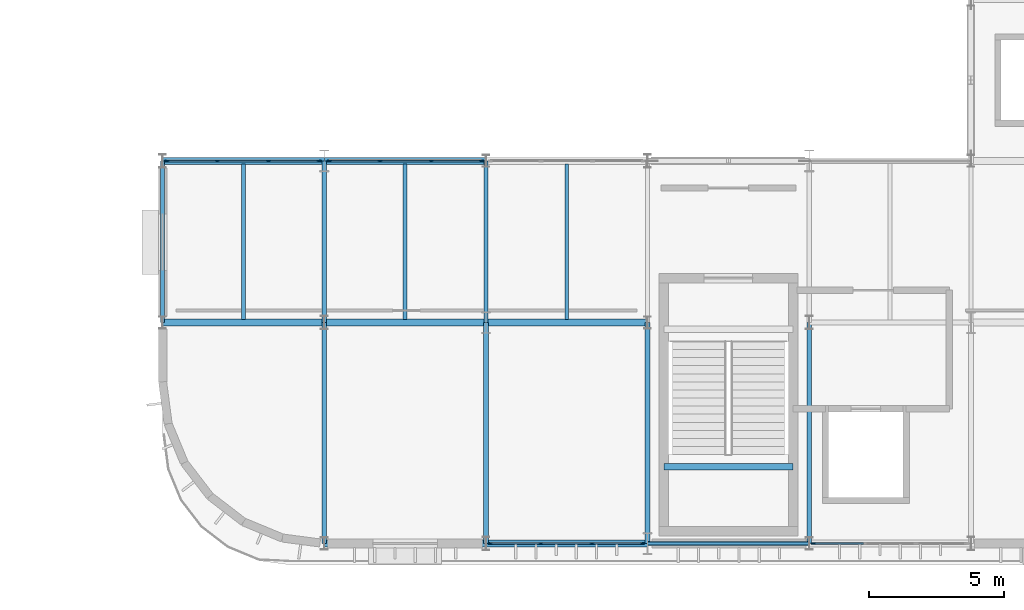
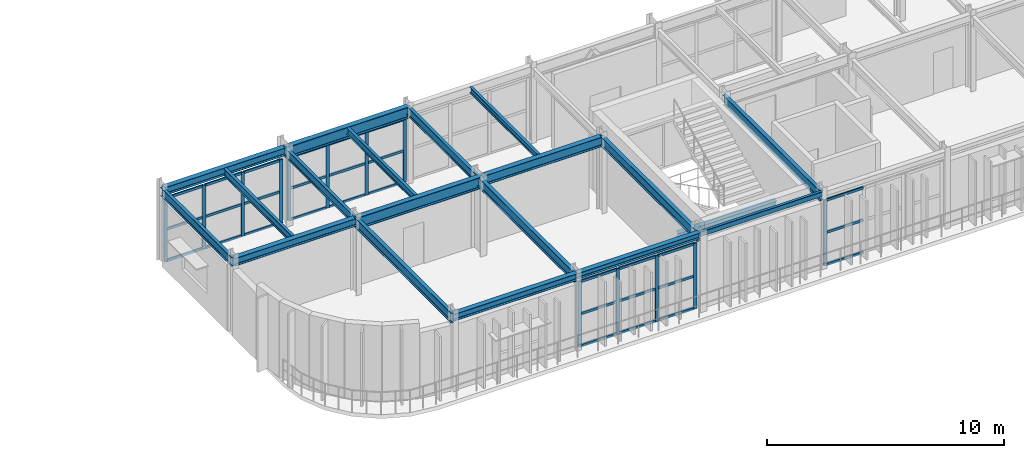
# One storey, part 18 of 83: 43 members, 19 beams, 4 elements without a shape of their own.
"""IFC4 building model written with IfcOpenShell, lengths in metres."""

from ifc_helpers import new_model, si_unit, direction, frame, origin, origin_2d, place, context, subcontext, project, spatial, rectangle, hollow_rectangle, i_section, extrude, material, material_profile, profile_set, type_object, element, aggregate, save


model = new_model("IFC4")

# Units and contexts
model_context = context("Model", 3, precision=1e-05, world=origin(), true_north=direction((0.0, 1.0)))
body_context = subcontext(model_context, "Body", "Model", "MODEL_VIEW")
ifc_project = project(units=[si_unit("LENGTHUNIT", "METRE"), si_unit("AREAUNIT", "SQUARE_METRE"), si_unit("VOLUMEUNIT", "CUBIC_METRE"), si_unit("PLANEANGLEUNIT", "RADIAN"), si_unit("MASSUNIT", "GRAM", prefix="KILO")], contexts=[model_context])

# Site, building, storey
site_placement = place(None, origin())
site = spatial("IfcSite", under=ifc_project, at=site_placement, CompositionType="ELEMENT")
building_placement = place(site_placement, origin())
building = spatial("IfcBuilding", under=site, at=building_placement, Name="Varnakota Square Police Headquarters", CompositionType="ELEMENT")
storey_placement = place(building_placement, frame((0.0, 0.0, 18.0)))
storey = spatial("IfcBuildingStorey", under=building, at=storey_placement, Name="L04", CompositionType="ELEMENT", Elevation=18.0)

# Beams
ifc_material_1 = material(Name="Steel IS 2062 Grade 350", Category="steel")
ifc_material_profile_1 = material_profile(ifc_material_1, hollow_rectangle(XDim=0.14990234375, YDim=0.25, WallThickness=0.010009765625, InnerFilletRadius=0.010009765625, OuterFilletRadius=0.02001953125, at=origin_2d()), Name="RHS 250x150x10")
ifc_profile_set_1 = profile_set([ifc_material_profile_1], Name="Steel IS 2062 Grade 350")
beam_type_1 = type_object("IfcBeamType", Name="BM-CBEAM-RHS250", PredefinedType="BEAM", material=ifc_profile_set_1)
beam_1_placement = place(storey_placement, frame((126.0, 0.800048828125, 3.77490234375), z_axis=(1.0, 0.0, 0.0), x_axis=(0.0, 1.0, 0.0)))
element("IfcBeam", 1, at=beam_1_placement, inside=storey, type_object=beam_type_1, Name="BMG-L04-2845", PredefinedType="BEAM", context=body_context, shape_type="SweptSolid", body=[
    extrude(hollow_rectangle(XDim=0.14990234375, YDim=0.25, WallThickness=0.010009765625, InnerFilletRadius=0.010009765625, OuterFilletRadius=0.02001953125, at=origin_2d()), origin(), (0.0, 0.0, 1.0), 6.0),
])
ifc_material_profile_2 = material_profile(ifc_material_1, i_section(OverallWidth=0.25, OverallDepth=0.300048828125, WebThickness=0.009521484375, FlangeThickness=0.010498046875, FilletRadius=0.011962890625, at=origin_2d()), Name="ISHB 300")
ifc_profile_set_2 = profile_set([ifc_material_profile_2], Name="Steel IS 2062 Grade 350")
beam_type_2 = type_object("IfcBeamType", Name="BM-ISHB300", PredefinedType="BEAM", material=ifc_profile_set_2)
beam_2_placement = place(storey_placement, frame((120.0, 0.800048828125, 3.75), z_axis=(1.0, 0.0, 0.0), x_axis=(0.0, 1.0, 0.0)))
element("IfcBeam", 2, at=beam_2_placement, inside=storey, type_object=beam_type_2, Name="BMG-L04-2844", PredefinedType="BEAM", context=body_context, shape_type="SweptSolid", body=[
    extrude(i_section(OverallWidth=0.25, OverallDepth=0.300048828125, WebThickness=0.009521484375, FlangeThickness=0.010498046875, FilletRadius=0.011962890625, at=origin_2d()), origin(), (0.0, 0.0, 1.0), 6.0),
])
beam_3_placement = place(storey_placement, frame((126.60009765625, 3.6494140625, 1.783935546875), z_axis=(1.0, 0.0, 0.0), x_axis=(0.0, 1.0, 0.0)))
element("IfcBeam", 3, at=beam_3_placement, inside=storey, type_object=beam_type_2, Name="Stair landing support beam BM-LND-0010", PredefinedType="BEAM", context=body_context, shape_type="SweptSolid", body=[
    extrude(i_section(OverallWidth=0.25, OverallDepth=0.300048828125, WebThickness=0.009521484375, FlangeThickness=0.010498046875, FilletRadius=0.011962890625, at=origin_2d()), origin(), (0.0, 0.0, 1.0), 4.7998046875),
])
ifc_material_profile_3 = material_profile(ifc_material_1, i_section(OverallWidth=0.25, OverallDepth=0.35009765625, WebThickness=0.010009765625, FlangeThickness=0.01171875, FilletRadius=0.011962890625, at=origin_2d()), Name="ISHB 350")
ifc_profile_set_3 = profile_set([ifc_material_profile_3], Name="Steel IS 2062 Grade 350")
beam_type_3 = type_object("IfcBeamType", Name="BM-ISHB350", PredefinedType="BEAM", material=ifc_profile_set_3)
beam_4_placement = place(storey_placement, frame((114.0, 0.800048828125, 3.72509765625), z_axis=(1.0, 0.0, 0.0), x_axis=(0.0, 1.0, 0.0)))
element("IfcBeam", 4, at=beam_4_placement, inside=storey, type_object=beam_type_3, Name="BMG-L04-2843", PredefinedType="BEAM", context=body_context, shape_type="SweptSolid", body=[
    extrude(i_section(OverallWidth=0.25, OverallDepth=0.35009765625, WebThickness=0.010009765625, FlangeThickness=0.01171875, FilletRadius=0.011962890625, at=origin_2d()), origin(), (0.0, 0.0, 1.0), 6.0),
])
ifc_material_profile_4 = material_profile(ifc_material_1, i_section(OverallWidth=0.25, OverallDepth=0.39990234375, WebThickness=0.010498046875, FlangeThickness=0.0126953125, FilletRadius=0.013916015625, at=origin_2d()), Name="ISHB 400")
ifc_profile_set_4 = profile_set([ifc_material_profile_4], Name="Steel IS 2062 Grade 350")
beam_type_4 = type_object("IfcBeamType", Name="BM-ISHB400", PredefinedType="BEAM", material=ifc_profile_set_4)
for number, where, z_axis, x_axis, name in (
    (5, (108.0, 9.0, 3.699951171875), (1.0, 0.0, 0.0), (0.0, 1.0, 0.0), "BMG-L04-2850"),
    (6, (108.0, 15.0, 3.699951171875), (1.0, 0.0, 0.0), (0.0, 1.0, 0.0), "BMG-L04-2858"),
):
    element("IfcBeam", number, at=place(storey_placement, frame(where, z_axis=z_axis, x_axis=x_axis)), inside=storey, type_object=beam_type_4, Name=name, PredefinedType="BEAM", context=body_context, shape_type="SweptSolid", body=[
        extrude(i_section(OverallWidth=0.25, OverallDepth=0.39990234375, WebThickness=0.010498046875, FlangeThickness=0.0126953125, FilletRadius=0.013916015625, at=origin_2d()), origin(), (0.0, 0.0, 1.0), 6.0),
    ])
ifc_material_profile_5 = material_profile(ifc_material_1, i_section(OverallWidth=0.139892578125, OverallDepth=0.300048828125, WebThickness=0.0078125, FlangeThickness=0.01318359375, FilletRadius=0.013916015625, at=origin_2d()), Name="ISMB 300")
ifc_profile_set_5 = profile_set([ifc_material_profile_5], Name="Steel IS 2062 Grade 350")
beam_type_5 = type_object("IfcBeamType", Name="BM-ISMB300", PredefinedType="JOIST", material=ifc_profile_set_5)
beam_5_placement = place(storey_placement, frame((123.0, 9.123046875, 3.75), z_axis=(0.0, 1.0, 0.0), x_axis=(-1.0, 0.0, 0.0)))
element("IfcBeam", 7, at=beam_5_placement, inside=storey, type_object=beam_type_5, Name="BMG-L04-3057", PredefinedType="JOIST", context=body_context, shape_type="SweptSolid", body=[
    extrude(i_section(OverallWidth=0.139892578125, OverallDepth=0.300048828125, WebThickness=0.0078125, FlangeThickness=0.01318359375, FilletRadius=0.013916015625, at=origin_2d()), origin(), (0.0, 0.0, 1.0), 5.75390625),
])
ifc_material_profile_6 = material_profile(ifc_material_1, i_section(OverallWidth=0.139892578125, OverallDepth=0.35009765625, WebThickness=0.008056640625, FlangeThickness=0.01416015625, FilletRadius=0.013916015625, at=origin_2d()), Name="ISMB 350")
ifc_profile_set_6 = profile_set([ifc_material_profile_6], Name="Steel IS 2062 Grade 350")
beam_type_6 = type_object("IfcBeamType", Name="BM-ISMB350", PredefinedType="JOIST", material=ifc_profile_set_6)
beam_6_placement = place(storey_placement, frame((117.0, 9.123046875, 3.72509765625), z_axis=(0.0, 1.0, 0.0), x_axis=(-1.0, 0.0, 0.0)))
element("IfcBeam", 8, at=beam_6_placement, inside=storey, type_object=beam_type_6, Name="BMG-L04-3056", PredefinedType="JOIST", context=body_context, shape_type="SweptSolid", body=[
    extrude(i_section(OverallWidth=0.139892578125, OverallDepth=0.35009765625, WebThickness=0.008056640625, FlangeThickness=0.01416015625, FilletRadius=0.013916015625, at=origin_2d()), origin(), (0.0, 0.0, 1.0), 5.75390625),
])
ifc_material_profile_7 = material_profile(ifc_material_1, i_section(OverallWidth=0.139892578125, OverallDepth=0.39990234375, WebThickness=0.0087890625, FlangeThickness=0.01611328125, FilletRadius=0.013916015625, at=origin_2d()), Name="ISMB 400")
ifc_profile_set_7 = profile_set([ifc_material_profile_7], Name="Steel IS 2062 Grade 350")
beam_type_7 = type_object("IfcBeamType", Name="BM-ISMB400", PredefinedType="JOIST", material=ifc_profile_set_7)
beam_7_placement = place(storey_placement, frame((111.0, 9.123046875, 3.699951171875), z_axis=(0.0, 1.0, 0.0), x_axis=(-1.0, 0.0, 0.0)))
element("IfcBeam", 9, at=beam_7_placement, inside=storey, type_object=beam_type_7, Name="BMG-L04-3055", PredefinedType="JOIST", context=body_context, shape_type="SweptSolid", body=[
    extrude(i_section(OverallWidth=0.139892578125, OverallDepth=0.39990234375, WebThickness=0.0087890625, FlangeThickness=0.01611328125, FilletRadius=0.013916015625, at=origin_2d()), origin(), (0.0, 0.0, 1.0), 5.75390625),
])
ifc_material_profile_8 = material_profile(ifc_material_1, i_section(OverallWidth=0.14990234375, OverallDepth=0.449951171875, WebThickness=0.009521484375, FlangeThickness=0.017333984375, FilletRadius=0.014892578125, at=origin_2d()), Name="ISMB 450")
ifc_profile_set_8 = profile_set([ifc_material_profile_8], Name="Steel IS 2062 Grade 350")
beam_type_8 = type_object("IfcBeamType", Name="BM-ISMB450", PredefinedType="BEAM", material=ifc_profile_set_8)
for number, where, z_axis, x_axis, name in (
    (10, (108.0, 9.0, 3.675048828125), (0.0, 1.0, 0.0), (-1.0, 0.0, 0.0), "BMG-L04-2982"),
    (11, (114.0, 9.0, 3.675048828125), (0.0, 1.0, 0.0), (-1.0, 0.0, 0.0), "BMG-L04-2984"),
    (12, (120.0, 9.0, 3.675048828125), (0.0, 1.0, 0.0), (-1.0, 0.0, 0.0), "BMG-L04-2986"),
):
    element("IfcBeam", number, at=place(storey_placement, frame(where, z_axis=z_axis, x_axis=x_axis)), inside=storey, type_object=beam_type_8, Name=name, PredefinedType="BEAM", context=body_context, shape_type="SweptSolid", body=[
        extrude(i_section(OverallWidth=0.14990234375, OverallDepth=0.449951171875, WebThickness=0.009521484375, FlangeThickness=0.017333984375, FilletRadius=0.014892578125, at=origin_2d()), origin(), (0.0, 0.0, 1.0), 6.0),
    ])
ifc_material_profile_9 = material_profile(ifc_material_1, i_section(OverallWidth=0.179931640625, OverallDepth=0.5, WebThickness=0.01025390625, FlangeThickness=0.01708984375, FilletRadius=0.01708984375, at=origin_2d()), Name="ISMB 500")
ifc_profile_set_9 = profile_set([ifc_material_profile_9], Name="Steel IS 2062 Grade 350")
beam_type_9 = type_object("IfcBeamType", Name="BM-ISMB500", PredefinedType="BEAM", material=ifc_profile_set_9)
for number, where, z_axis, x_axis, name in (
    (13, (114.0, 0.800048828125, 3.64990234375), (0.0, 1.0, 0.0), (-1.0, 0.0, 0.0), "BMG-L04-2983"),
    (14, (120.0, 0.800048828125, 3.64990234375), (0.0, 1.0, 0.0), (-1.0, 0.0, 0.0), "BMG-L04-2985"),
    (15, (126.0, 0.800048828125, 3.64990234375), (0.0, 1.0, 0.0), (-1.0, 0.0, 0.0), "BMG-L04-2987"),
    (16, (132.0, 0.800048828125, 3.64990234375), (0.0, 1.0, 0.0), (-1.0, 0.0, 0.0), "BMG-L04-2989"),
):
    element("IfcBeam", number, at=place(storey_placement, frame(where, z_axis=z_axis, x_axis=x_axis)), inside=storey, type_object=beam_type_9, Name=name, PredefinedType="BEAM", context=body_context, shape_type="SweptSolid", body=[
        extrude(i_section(OverallWidth=0.179931640625, OverallDepth=0.5, WebThickness=0.01025390625, FlangeThickness=0.01708984375, FilletRadius=0.01708984375, at=origin_2d()), origin(), (0.0, 0.0, 1.0), 8.199951171875),
    ])
ifc_material_profile_10 = material_profile(ifc_material_1, i_section(OverallWidth=0.25, OverallDepth=0.5, WebThickness=0.010009765625, FlangeThickness=0.0146484375, FilletRadius=0.014892578125, at=origin_2d()), Name="ISWB 500")
ifc_profile_set_10 = profile_set([ifc_material_profile_10], Name="Steel IS 2062 Grade 350")
beam_type_10 = type_object("IfcBeamType", Name="BM-ISWB500", PredefinedType="BEAM", material=ifc_profile_set_10)
beam_8_placement = place(storey_placement, frame((120.0, 9.0, 3.64990234375), z_axis=(1.0, 0.0, 0.0), x_axis=(0.0, 1.0, 0.0)))
element("IfcBeam", 17, at=beam_8_placement, inside=storey, type_object=beam_type_10, Name="BMG-L04-2852", PredefinedType="BEAM", context=body_context, shape_type="SweptSolid", body=[
    extrude(i_section(OverallWidth=0.25, OverallDepth=0.5, WebThickness=0.010009765625, FlangeThickness=0.0146484375, FilletRadius=0.014892578125, at=origin_2d()), origin(), (0.0, 0.0, 1.0), 6.0),
])
ifc_material_profile_11 = material_profile(ifc_material_1, i_section(OverallWidth=0.25, OverallDepth=0.60009765625, WebThickness=0.01171875, FlangeThickness=0.023681640625, FilletRadius=0.01708984375, at=origin_2d()), Name="ISWB 600")
ifc_profile_set_11 = profile_set([ifc_material_profile_11], Name="Steel IS 2062 Grade 350")
beam_type_11 = type_object("IfcBeamType", Name="BM-ISWB600", PredefinedType="BEAM", material=ifc_profile_set_11)
for number, where, z_axis, x_axis, name in (
    (18, (114.0, 9.0, 3.60009765625), (1.0, 0.0, 0.0), (0.0, 1.0, 0.0), "BMG-L04-2851"),
    (19, (114.0, 15.0, 3.60009765625), (1.0, 0.0, 0.0), (0.0, 1.0, 0.0), "BMG-L04-2859"),
):
    element("IfcBeam", number, at=place(storey_placement, frame(where, z_axis=z_axis, x_axis=x_axis)), inside=storey, type_object=beam_type_11, Name=name, PredefinedType="BEAM", context=body_context, shape_type="SweptSolid", body=[
        extrude(i_section(OverallWidth=0.25, OverallDepth=0.60009765625, WebThickness=0.01171875, FlangeThickness=0.023681640625, FilletRadius=0.01708984375, at=origin_2d()), origin(), (0.0, 0.0, 1.0), 6.0),
    ])

# Curtain wall, members
ifc_material_2 = material(Name="Anodised Aluminium Framing", Category="aluminium")
curtain_wall_type_1 = type_object("IfcCurtainWallType", Name="CW-SYS-C", PredefinedType="NOTDEFINED", material=ifc_material_2)
curtain_wall_1_placement = place(storey_placement, origin())
curtain_wall_1 = element("IfcCurtainWall", 20, at=curtain_wall_1_placement, inside=storey, type_object=curtain_wall_type_1, Name="Unitised curtain wall CWG-L04-088", PredefinedType="NOTDEFINED")
ifc_material_3 = material(Name="Anodised Aluminium 6063-T6", Category="aluminium")
ifc_material_profile_12 = material_profile(ifc_material_3, rectangle(XDim=0.06494140625, YDim=0.159912109375, at=origin_2d()), Name="ALU MULLION 65x160")
ifc_profile_set_12 = profile_set([ifc_material_profile_12], Name="Anodised Aluminium 6063-T6")
member_type_1 = type_object("IfcMemberType", Name="CWM-150", PredefinedType="MULLION", material=ifc_profile_set_12)
member_1_placement = place(storey_placement, frame((120.16259765625, 0.800048828125, 0.0), z_axis=(0.0, 0.0, 1.0), x_axis=(0.0, 1.0, 0.0)))
member_1 = element("IfcMember", 21, at=member_1_placement, type_object=member_type_1, Name="CWG-L04-088 mullion 1", PredefinedType="MULLION", context=body_context, shape_type="SweptSolid", body=[
    extrude(rectangle(XDim=0.06494140625, YDim=0.159912109375, at=origin_2d()), origin(), (0.0, 0.0, 1.0), 3.389892578125),
])
member_2_placement = place(storey_placement, frame((122.03173828125, 0.800048828125, 0.0), z_axis=(0.0, 0.0, 1.0), x_axis=(0.0, 1.0, 0.0)))
member_2 = element("IfcMember", 22, at=member_2_placement, type_object=member_type_1, Name="CWG-L04-088 mullion 2", PredefinedType="MULLION", context=body_context, shape_type="SweptSolid", body=[
    extrude(rectangle(XDim=0.06494140625, YDim=0.159912109375, at=origin_2d()), origin(), (0.0, 0.0, 1.0), 3.389892578125),
])
member_3_placement = place(storey_placement, frame((123.933349609375, 0.800048828125, 0.0), z_axis=(0.0, 0.0, 1.0), x_axis=(0.0, 1.0, 0.0)))
member_3 = element("IfcMember", 23, at=member_3_placement, type_object=member_type_1, Name="CWG-L04-088 mullion 3", PredefinedType="MULLION", context=body_context, shape_type="SweptSolid", body=[
    extrude(rectangle(XDim=0.06494140625, YDim=0.159912109375, at=origin_2d()), origin(), (0.0, 0.0, 1.0), 3.389892578125),
])
member_4_placement = place(storey_placement, frame((125.802490234375, 0.800048828125, 0.0), z_axis=(0.0, 0.0, 1.0), x_axis=(0.0, 1.0, 0.0)))
member_4 = element("IfcMember", 24, at=member_4_placement, type_object=member_type_1, Name="CWG-L04-088 mullion 4", PredefinedType="MULLION", context=body_context, shape_type="SweptSolid", body=[
    extrude(rectangle(XDim=0.06494140625, YDim=0.159912109375, at=origin_2d()), origin(), (0.0, 0.0, 1.0), 3.389892578125),
])

# Curtain wall, member
curtain_wall_2_placement = place(storey_placement, origin())
curtain_wall_2 = element("IfcCurtainWall", 25, at=curtain_wall_2_placement, inside=storey, type_object=curtain_wall_type_1, Name="Unitised curtain wall CWG-L04-089", PredefinedType="NOTDEFINED")
member_5_placement = place(storey_placement, frame((132.16259765625, 0.800048828125, 0.0), z_axis=(0.0, 0.0, 1.0), x_axis=(0.0, 1.0, 0.0)))
member_5 = element("IfcMember", 26, at=member_5_placement, type_object=member_type_1, Name="CWG-L04-089 mullion 1", PredefinedType="MULLION", context=body_context, shape_type="SweptSolid", body=[
    extrude(rectangle(XDim=0.06494140625, YDim=0.159912109375, at=origin_2d()), origin(), (0.0, 0.0, 1.0), 3.389892578125),
])

# Curtain wall, members
curtain_wall_type_2 = type_object("IfcCurtainWallType", Name="CW-SYS-D", PredefinedType="NOTDEFINED", material=ifc_material_2)
curtain_wall_3_placement = place(storey_placement, origin())
curtain_wall_3 = element("IfcCurtainWall", 27, at=curtain_wall_3_placement, inside=storey, type_object=curtain_wall_type_2, Name="Unitised curtain wall CWG-L04-091", PredefinedType="NOTDEFINED")
member_6_placement = place(storey_placement, frame((108.16259765625, 15.0, 0.0), z_axis=(0.0, 0.0, 1.0), x_axis=(0.0, 1.0, 0.0)))
member_6 = element("IfcMember", 28, at=member_6_placement, type_object=member_type_1, Name="CWG-L04-091 mullion 1", PredefinedType="MULLION", context=body_context, shape_type="SweptSolid", body=[
    extrude(rectangle(XDim=0.06494140625, YDim=0.159912109375, at=origin_2d()), origin(), (0.0, 0.0, 1.0), 3.2900390625),
])
member_7_placement = place(storey_placement, frame((110.03173828125, 15.0, 0.0), z_axis=(0.0, 0.0, 1.0), x_axis=(0.0, 1.0, 0.0)))
member_7 = element("IfcMember", 29, at=member_7_placement, type_object=member_type_1, Name="CWG-L04-091 mullion 2", PredefinedType="MULLION", context=body_context, shape_type="SweptSolid", body=[
    extrude(rectangle(XDim=0.06494140625, YDim=0.159912109375, at=origin_2d()), origin(), (0.0, 0.0, 1.0), 3.2900390625),
])
member_8_placement = place(storey_placement, frame((111.933349609375, 15.0, 0.0), z_axis=(0.0, 0.0, 1.0), x_axis=(0.0, 1.0, 0.0)))
member_8 = element("IfcMember", 30, at=member_8_placement, type_object=member_type_1, Name="CWG-L04-091 mullion 3", PredefinedType="MULLION", context=body_context, shape_type="SweptSolid", body=[
    extrude(rectangle(XDim=0.06494140625, YDim=0.159912109375, at=origin_2d()), origin(), (0.0, 0.0, 1.0), 3.2900390625),
])
member_9_placement = place(storey_placement, frame((113.802490234375, 15.0, 0.0), z_axis=(0.0, 0.0, 1.0), x_axis=(0.0, 1.0, 0.0)))
member_9 = element("IfcMember", 31, at=member_9_placement, type_object=member_type_1, Name="CWG-L04-091 mullion 4", PredefinedType="MULLION", context=body_context, shape_type="SweptSolid", body=[
    extrude(rectangle(XDim=0.06494140625, YDim=0.159912109375, at=origin_2d()), origin(), (0.0, 0.0, 1.0), 3.2900390625),
])

curtain_wall_4_placement = place(storey_placement, origin())
curtain_wall_4 = element("IfcCurtainWall", 32, at=curtain_wall_4_placement, inside=storey, type_object=curtain_wall_type_2, Name="Unitised curtain wall CWG-L04-092", PredefinedType="NOTDEFINED")
member_10_placement = place(storey_placement, frame((114.197509765625, 15.0, 0.0), z_axis=(0.0, 0.0, 1.0), x_axis=(0.0, 1.0, 0.0)))
member_10 = element("IfcMember", 33, at=member_10_placement, type_object=member_type_1, Name="CWG-L04-092 mullion 1", PredefinedType="MULLION", context=body_context, shape_type="SweptSolid", body=[
    extrude(rectangle(XDim=0.06494140625, YDim=0.159912109375, at=origin_2d()), origin(), (0.0, 0.0, 1.0), 3.2900390625),
])
member_11_placement = place(storey_placement, frame((116.066650390625, 15.0, 0.0), z_axis=(0.0, 0.0, 1.0), x_axis=(0.0, 1.0, 0.0)))
member_11 = element("IfcMember", 34, at=member_11_placement, type_object=member_type_1, Name="CWG-L04-092 mullion 2", PredefinedType="MULLION", context=body_context, shape_type="SweptSolid", body=[
    extrude(rectangle(XDim=0.06494140625, YDim=0.159912109375, at=origin_2d()), origin(), (0.0, 0.0, 1.0), 3.2900390625),
])
member_12_placement = place(storey_placement, frame((117.96826171875, 15.0, 0.0), z_axis=(0.0, 0.0, 1.0), x_axis=(0.0, 1.0, 0.0)))
member_12 = element("IfcMember", 35, at=member_12_placement, type_object=member_type_1, Name="CWG-L04-092 mullion 3", PredefinedType="MULLION", context=body_context, shape_type="SweptSolid", body=[
    extrude(rectangle(XDim=0.06494140625, YDim=0.159912109375, at=origin_2d()), origin(), (0.0, 0.0, 1.0), 3.2900390625),
])
member_13_placement = place(storey_placement, frame((119.83740234375, 15.0, 0.0), z_axis=(0.0, 0.0, 1.0), x_axis=(0.0, 1.0, 0.0)))
member_13 = element("IfcMember", 36, at=member_13_placement, type_object=member_type_1, Name="CWG-L04-092 mullion 4", PredefinedType="MULLION", context=body_context, shape_type="SweptSolid", body=[
    extrude(rectangle(XDim=0.06494140625, YDim=0.159912109375, at=origin_2d()), origin(), (0.0, 0.0, 1.0), 3.2900390625),
])

# Member
ifc_material_profile_13 = material_profile(ifc_material_3, rectangle(XDim=0.06494140625, YDim=0.1298828125, at=origin_2d()), Name="ALU TRANSOM 65x130")
ifc_profile_set_13 = profile_set([ifc_material_profile_13], Name="Anodised Aluminium 6063-T6")
member_type_2 = type_object("IfcMemberType", Name="CWT-120", PredefinedType="USERDEFINED", material=ifc_profile_set_13)
member_14_placement = place(storey_placement, frame((120.195068359375, 0.800048828125, 0.032470703125), z_axis=(1.0, 0.0, 0.0), x_axis=(0.0, 1.0, 0.0)))
member_14 = element("IfcMember", 37, at=member_14_placement, type_object=member_type_2, Name="CWG-L04-088 transom 1.1", ObjectType="TRANSOM", PredefinedType="USERDEFINED", context=body_context, shape_type="SweptSolid", body=[
    extrude(rectangle(XDim=0.06494140625, YDim=0.1298828125, at=origin_2d()), origin(), (0.0, 0.0, 1.0), 1.80419921875),
])

member_15_placement = place(storey_placement, frame((120.195068359375, 0.800048828125, 1.695068359375), z_axis=(1.0, 0.0, 0.0), x_axis=(0.0, 1.0, 0.0)))
member_15 = element("IfcMember", 38, at=member_15_placement, type_object=member_type_2, Name="CWG-L04-088 transom 1.2", ObjectType="TRANSOM", PredefinedType="USERDEFINED", context=body_context, shape_type="SweptSolid", body=[
    extrude(rectangle(XDim=0.06494140625, YDim=0.1298828125, at=origin_2d()), origin(), (0.0, 0.0, 1.0), 1.80419921875),
])

member_16_placement = place(storey_placement, frame((120.195068359375, 0.800048828125, 3.357421875), z_axis=(1.0, 0.0, 0.0), x_axis=(0.0, 1.0, 0.0)))
member_16 = element("IfcMember", 39, at=member_16_placement, type_object=member_type_2, Name="CWG-L04-088 transom 1.3", ObjectType="TRANSOM", PredefinedType="USERDEFINED", context=body_context, shape_type="SweptSolid", body=[
    extrude(rectangle(XDim=0.06494140625, YDim=0.1298828125, at=origin_2d()), origin(), (0.0, 0.0, 1.0), 1.80419921875),
])

member_17_placement = place(storey_placement, frame((122.064208984375, 0.800048828125, 0.032470703125), z_axis=(1.0, 0.0, 0.0), x_axis=(0.0, 1.0, 0.0)))
member_17 = element("IfcMember", 40, at=member_17_placement, type_object=member_type_2, Name="CWG-L04-088 transom 2.1", ObjectType="TRANSOM", PredefinedType="USERDEFINED", context=body_context, shape_type="SweptSolid", body=[
    extrude(rectangle(XDim=0.06494140625, YDim=0.1298828125, at=origin_2d()), origin(), (0.0, 0.0, 1.0), 1.836669921875),
])

member_18_placement = place(storey_placement, frame((122.064208984375, 0.800048828125, 1.695068359375), z_axis=(1.0, 0.0, 0.0), x_axis=(0.0, 1.0, 0.0)))
member_18 = element("IfcMember", 41, at=member_18_placement, type_object=member_type_2, Name="CWG-L04-088 transom 2.2", ObjectType="TRANSOM", PredefinedType="USERDEFINED", context=body_context, shape_type="SweptSolid", body=[
    extrude(rectangle(XDim=0.06494140625, YDim=0.1298828125, at=origin_2d()), origin(), (0.0, 0.0, 1.0), 1.836669921875),
])

member_19_placement = place(storey_placement, frame((122.064208984375, 0.800048828125, 3.357421875), z_axis=(1.0, 0.0, 0.0), x_axis=(0.0, 1.0, 0.0)))
member_19 = element("IfcMember", 42, at=member_19_placement, type_object=member_type_2, Name="CWG-L04-088 transom 2.3", ObjectType="TRANSOM", PredefinedType="USERDEFINED", context=body_context, shape_type="SweptSolid", body=[
    extrude(rectangle(XDim=0.06494140625, YDim=0.1298828125, at=origin_2d()), origin(), (0.0, 0.0, 1.0), 1.836669921875),
])

member_20_placement = place(storey_placement, frame((123.9658203125, 0.800048828125, 0.032470703125), z_axis=(1.0, 0.0, 0.0), x_axis=(0.0, 1.0, 0.0)))
member_20 = element("IfcMember", 43, at=member_20_placement, type_object=member_type_2, Name="CWG-L04-088 transom 3.1", ObjectType="TRANSOM", PredefinedType="USERDEFINED", context=body_context, shape_type="SweptSolid", body=[
    extrude(rectangle(XDim=0.06494140625, YDim=0.1298828125, at=origin_2d()), origin(), (0.0, 0.0, 1.0), 1.80419921875),
])

member_21_placement = place(storey_placement, frame((123.9658203125, 0.800048828125, 1.695068359375), z_axis=(1.0, 0.0, 0.0), x_axis=(0.0, 1.0, 0.0)))
member_21 = element("IfcMember", 44, at=member_21_placement, type_object=member_type_2, Name="CWG-L04-088 transom 3.2", ObjectType="TRANSOM", PredefinedType="USERDEFINED", context=body_context, shape_type="SweptSolid", body=[
    extrude(rectangle(XDim=0.06494140625, YDim=0.1298828125, at=origin_2d()), origin(), (0.0, 0.0, 1.0), 1.80419921875),
])

member_22_placement = place(storey_placement, frame((123.9658203125, 0.800048828125, 3.357421875), z_axis=(1.0, 0.0, 0.0), x_axis=(0.0, 1.0, 0.0)))
member_22 = element("IfcMember", 45, at=member_22_placement, type_object=member_type_2, Name="CWG-L04-088 transom 3.3", ObjectType="TRANSOM", PredefinedType="USERDEFINED", context=body_context, shape_type="SweptSolid", body=[
    extrude(rectangle(XDim=0.06494140625, YDim=0.1298828125, at=origin_2d()), origin(), (0.0, 0.0, 1.0), 1.80419921875),
])

aggregate(curtain_wall_1, [member_1, member_2, member_3, member_4, member_14, member_15, member_16, member_17, member_18, member_19, member_20, member_21, member_22])

member_23_placement = place(storey_placement, frame((132.195068359375, 0.800048828125, 0.032470703125), z_axis=(1.0, 0.0, 0.0), x_axis=(0.0, 1.0, 0.0)))
member_23 = element("IfcMember", 46, at=member_23_placement, type_object=member_type_2, Name="CWG-L04-089 transom 1.1", ObjectType="TRANSOM", PredefinedType="USERDEFINED", context=body_context, shape_type="SweptSolid", body=[
    extrude(rectangle(XDim=0.06494140625, YDim=0.1298828125, at=origin_2d()), origin(), (0.0, 0.0, 1.0), 1.815673828125),
])

member_24_placement = place(storey_placement, frame((132.195068359375, 0.800048828125, 1.695068359375), z_axis=(1.0, 0.0, 0.0), x_axis=(0.0, 1.0, 0.0)))
member_24 = element("IfcMember", 47, at=member_24_placement, type_object=member_type_2, Name="CWG-L04-089 transom 1.2", ObjectType="TRANSOM", PredefinedType="USERDEFINED", context=body_context, shape_type="SweptSolid", body=[
    extrude(rectangle(XDim=0.06494140625, YDim=0.1298828125, at=origin_2d()), origin(), (0.0, 0.0, 1.0), 1.815673828125),
])

member_25_placement = place(storey_placement, frame((132.195068359375, 0.800048828125, 3.357421875), z_axis=(1.0, 0.0, 0.0), x_axis=(0.0, 1.0, 0.0)))
member_25 = element("IfcMember", 48, at=member_25_placement, type_object=member_type_2, Name="CWG-L04-089 transom 1.3", ObjectType="TRANSOM", PredefinedType="USERDEFINED", context=body_context, shape_type="SweptSolid", body=[
    extrude(rectangle(XDim=0.06494140625, YDim=0.1298828125, at=origin_2d()), origin(), (0.0, 0.0, 1.0), 1.815673828125),
])

aggregate(curtain_wall_2, [member_5, member_23, member_24, member_25])

member_26_placement = place(storey_placement, frame((108.195068359375, 15.0, 0.032470703125), z_axis=(1.0, 0.0, 0.0), x_axis=(0.0, 1.0, 0.0)))
member_26 = element("IfcMember", 49, at=member_26_placement, type_object=member_type_2, Name="CWG-L04-091 transom 1.1", ObjectType="TRANSOM", PredefinedType="USERDEFINED", context=body_context, shape_type="SweptSolid", body=[
    extrude(rectangle(XDim=0.06494140625, YDim=0.1298828125, at=origin_2d()), origin(), (0.0, 0.0, 1.0), 1.80419921875),
])

member_27_placement = place(storey_placement, frame((108.195068359375, 15.0, 1.64501953125), z_axis=(1.0, 0.0, 0.0), x_axis=(0.0, 1.0, 0.0)))
member_27 = element("IfcMember", 50, at=member_27_placement, type_object=member_type_2, Name="CWG-L04-091 transom 1.2", ObjectType="TRANSOM", PredefinedType="USERDEFINED", context=body_context, shape_type="SweptSolid", body=[
    extrude(rectangle(XDim=0.06494140625, YDim=0.1298828125, at=origin_2d()), origin(), (0.0, 0.0, 1.0), 1.80419921875),
])

member_28_placement = place(storey_placement, frame((108.195068359375, 15.0, 3.257568359375), z_axis=(1.0, 0.0, 0.0), x_axis=(0.0, 1.0, 0.0)))
member_28 = element("IfcMember", 51, at=member_28_placement, type_object=member_type_2, Name="CWG-L04-091 transom 1.3", ObjectType="TRANSOM", PredefinedType="USERDEFINED", context=body_context, shape_type="SweptSolid", body=[
    extrude(rectangle(XDim=0.06494140625, YDim=0.1298828125, at=origin_2d()), origin(), (0.0, 0.0, 1.0), 1.80419921875),
])

member_29_placement = place(storey_placement, frame((110.064208984375, 15.0, 0.032470703125), z_axis=(1.0, 0.0, 0.0), x_axis=(0.0, 1.0, 0.0)))
member_29 = element("IfcMember", 52, at=member_29_placement, type_object=member_type_2, Name="CWG-L04-091 transom 2.1", ObjectType="TRANSOM", PredefinedType="USERDEFINED", context=body_context, shape_type="SweptSolid", body=[
    extrude(rectangle(XDim=0.06494140625, YDim=0.1298828125, at=origin_2d()), origin(), (0.0, 0.0, 1.0), 1.836669921875),
])

member_30_placement = place(storey_placement, frame((110.064208984375, 15.0, 1.64501953125), z_axis=(1.0, 0.0, 0.0), x_axis=(0.0, 1.0, 0.0)))
member_30 = element("IfcMember", 53, at=member_30_placement, type_object=member_type_2, Name="CWG-L04-091 transom 2.2", ObjectType="TRANSOM", PredefinedType="USERDEFINED", context=body_context, shape_type="SweptSolid", body=[
    extrude(rectangle(XDim=0.06494140625, YDim=0.1298828125, at=origin_2d()), origin(), (0.0, 0.0, 1.0), 1.836669921875),
])

member_31_placement = place(storey_placement, frame((110.064208984375, 15.0, 3.257568359375), z_axis=(1.0, 0.0, 0.0), x_axis=(0.0, 1.0, 0.0)))
member_31 = element("IfcMember", 54, at=member_31_placement, type_object=member_type_2, Name="CWG-L04-091 transom 2.3", ObjectType="TRANSOM", PredefinedType="USERDEFINED", context=body_context, shape_type="SweptSolid", body=[
    extrude(rectangle(XDim=0.06494140625, YDim=0.1298828125, at=origin_2d()), origin(), (0.0, 0.0, 1.0), 1.836669921875),
])

member_32_placement = place(storey_placement, frame((111.9658203125, 15.0, 0.032470703125), z_axis=(1.0, 0.0, 0.0), x_axis=(0.0, 1.0, 0.0)))
member_32 = element("IfcMember", 55, at=member_32_placement, type_object=member_type_2, Name="CWG-L04-091 transom 3.1", ObjectType="TRANSOM", PredefinedType="USERDEFINED", context=body_context, shape_type="SweptSolid", body=[
    extrude(rectangle(XDim=0.06494140625, YDim=0.1298828125, at=origin_2d()), origin(), (0.0, 0.0, 1.0), 1.80419921875),
])

member_33_placement = place(storey_placement, frame((111.9658203125, 15.0, 1.64501953125), z_axis=(1.0, 0.0, 0.0), x_axis=(0.0, 1.0, 0.0)))
member_33 = element("IfcMember", 56, at=member_33_placement, type_object=member_type_2, Name="CWG-L04-091 transom 3.2", ObjectType="TRANSOM", PredefinedType="USERDEFINED", context=body_context, shape_type="SweptSolid", body=[
    extrude(rectangle(XDim=0.06494140625, YDim=0.1298828125, at=origin_2d()), origin(), (0.0, 0.0, 1.0), 1.80419921875),
])

member_34_placement = place(storey_placement, frame((111.9658203125, 15.0, 3.257568359375), z_axis=(1.0, 0.0, 0.0), x_axis=(0.0, 1.0, 0.0)))
member_34 = element("IfcMember", 57, at=member_34_placement, type_object=member_type_2, Name="CWG-L04-091 transom 3.3", ObjectType="TRANSOM", PredefinedType="USERDEFINED", context=body_context, shape_type="SweptSolid", body=[
    extrude(rectangle(XDim=0.06494140625, YDim=0.1298828125, at=origin_2d()), origin(), (0.0, 0.0, 1.0), 1.80419921875),
])

aggregate(curtain_wall_3, [member_6, member_7, member_8, member_9, member_26, member_27, member_28, member_29, member_30, member_31, member_32, member_33, member_34])

member_35_placement = place(storey_placement, frame((114.22998046875, 15.0, 0.032470703125), z_axis=(1.0, 0.0, 0.0), x_axis=(0.0, 1.0, 0.0)))
member_35 = element("IfcMember", 58, at=member_35_placement, type_object=member_type_2, Name="CWG-L04-092 transom 1.1", ObjectType="TRANSOM", PredefinedType="USERDEFINED", context=body_context, shape_type="SweptSolid", body=[
    extrude(rectangle(XDim=0.06494140625, YDim=0.1298828125, at=origin_2d()), origin(), (0.0, 0.0, 1.0), 1.80419921875),
])

member_36_placement = place(storey_placement, frame((114.22998046875, 15.0, 1.64501953125), z_axis=(1.0, 0.0, 0.0), x_axis=(0.0, 1.0, 0.0)))
member_36 = element("IfcMember", 59, at=member_36_placement, type_object=member_type_2, Name="CWG-L04-092 transom 1.2", ObjectType="TRANSOM", PredefinedType="USERDEFINED", context=body_context, shape_type="SweptSolid", body=[
    extrude(rectangle(XDim=0.06494140625, YDim=0.1298828125, at=origin_2d()), origin(), (0.0, 0.0, 1.0), 1.80419921875),
])

member_37_placement = place(storey_placement, frame((114.22998046875, 15.0, 3.257568359375), z_axis=(1.0, 0.0, 0.0), x_axis=(0.0, 1.0, 0.0)))
member_37 = element("IfcMember", 60, at=member_37_placement, type_object=member_type_2, Name="CWG-L04-092 transom 1.3", ObjectType="TRANSOM", PredefinedType="USERDEFINED", context=body_context, shape_type="SweptSolid", body=[
    extrude(rectangle(XDim=0.06494140625, YDim=0.1298828125, at=origin_2d()), origin(), (0.0, 0.0, 1.0), 1.80419921875),
])

member_38_placement = place(storey_placement, frame((116.09912109375, 15.0, 0.032470703125), z_axis=(1.0, 0.0, 0.0), x_axis=(0.0, 1.0, 0.0)))
member_38 = element("IfcMember", 61, at=member_38_placement, type_object=member_type_2, Name="CWG-L04-092 transom 2.1", ObjectType="TRANSOM", PredefinedType="USERDEFINED", context=body_context, shape_type="SweptSolid", body=[
    extrude(rectangle(XDim=0.06494140625, YDim=0.1298828125, at=origin_2d()), origin(), (0.0, 0.0, 1.0), 1.836669921875),
])

member_39_placement = place(storey_placement, frame((116.09912109375, 15.0, 1.64501953125), z_axis=(1.0, 0.0, 0.0), x_axis=(0.0, 1.0, 0.0)))
member_39 = element("IfcMember", 62, at=member_39_placement, type_object=member_type_2, Name="CWG-L04-092 transom 2.2", ObjectType="TRANSOM", PredefinedType="USERDEFINED", context=body_context, shape_type="SweptSolid", body=[
    extrude(rectangle(XDim=0.06494140625, YDim=0.1298828125, at=origin_2d()), origin(), (0.0, 0.0, 1.0), 1.836669921875),
])

member_40_placement = place(storey_placement, frame((116.09912109375, 15.0, 3.257568359375), z_axis=(1.0, 0.0, 0.0), x_axis=(0.0, 1.0, 0.0)))
member_40 = element("IfcMember", 63, at=member_40_placement, type_object=member_type_2, Name="CWG-L04-092 transom 2.3", ObjectType="TRANSOM", PredefinedType="USERDEFINED", context=body_context, shape_type="SweptSolid", body=[
    extrude(rectangle(XDim=0.06494140625, YDim=0.1298828125, at=origin_2d()), origin(), (0.0, 0.0, 1.0), 1.836669921875),
])

member_41_placement = place(storey_placement, frame((118.000732421875, 15.0, 0.032470703125), z_axis=(1.0, 0.0, 0.0), x_axis=(0.0, 1.0, 0.0)))
member_41 = element("IfcMember", 64, at=member_41_placement, type_object=member_type_2, Name="CWG-L04-092 transom 3.1", ObjectType="TRANSOM", PredefinedType="USERDEFINED", context=body_context, shape_type="SweptSolid", body=[
    extrude(rectangle(XDim=0.06494140625, YDim=0.1298828125, at=origin_2d()), origin(), (0.0, 0.0, 1.0), 1.80419921875),
])

member_42_placement = place(storey_placement, frame((118.000732421875, 15.0, 1.64501953125), z_axis=(1.0, 0.0, 0.0), x_axis=(0.0, 1.0, 0.0)))
member_42 = element("IfcMember", 65, at=member_42_placement, type_object=member_type_2, Name="CWG-L04-092 transom 3.2", ObjectType="TRANSOM", PredefinedType="USERDEFINED", context=body_context, shape_type="SweptSolid", body=[
    extrude(rectangle(XDim=0.06494140625, YDim=0.1298828125, at=origin_2d()), origin(), (0.0, 0.0, 1.0), 1.80419921875),
])

member_43_placement = place(storey_placement, frame((118.000732421875, 15.0, 3.257568359375), z_axis=(1.0, 0.0, 0.0), x_axis=(0.0, 1.0, 0.0)))
member_43 = element("IfcMember", 66, at=member_43_placement, type_object=member_type_2, Name="CWG-L04-092 transom 3.3", ObjectType="TRANSOM", PredefinedType="USERDEFINED", context=body_context, shape_type="SweptSolid", body=[
    extrude(rectangle(XDim=0.06494140625, YDim=0.1298828125, at=origin_2d()), origin(), (0.0, 0.0, 1.0), 1.80419921875),
])

aggregate(curtain_wall_4, [member_10, member_11, member_12, member_13, member_35, member_36, member_37, member_38, member_39, member_40, member_41, member_42, member_43])

save(model, "model.ifc")
